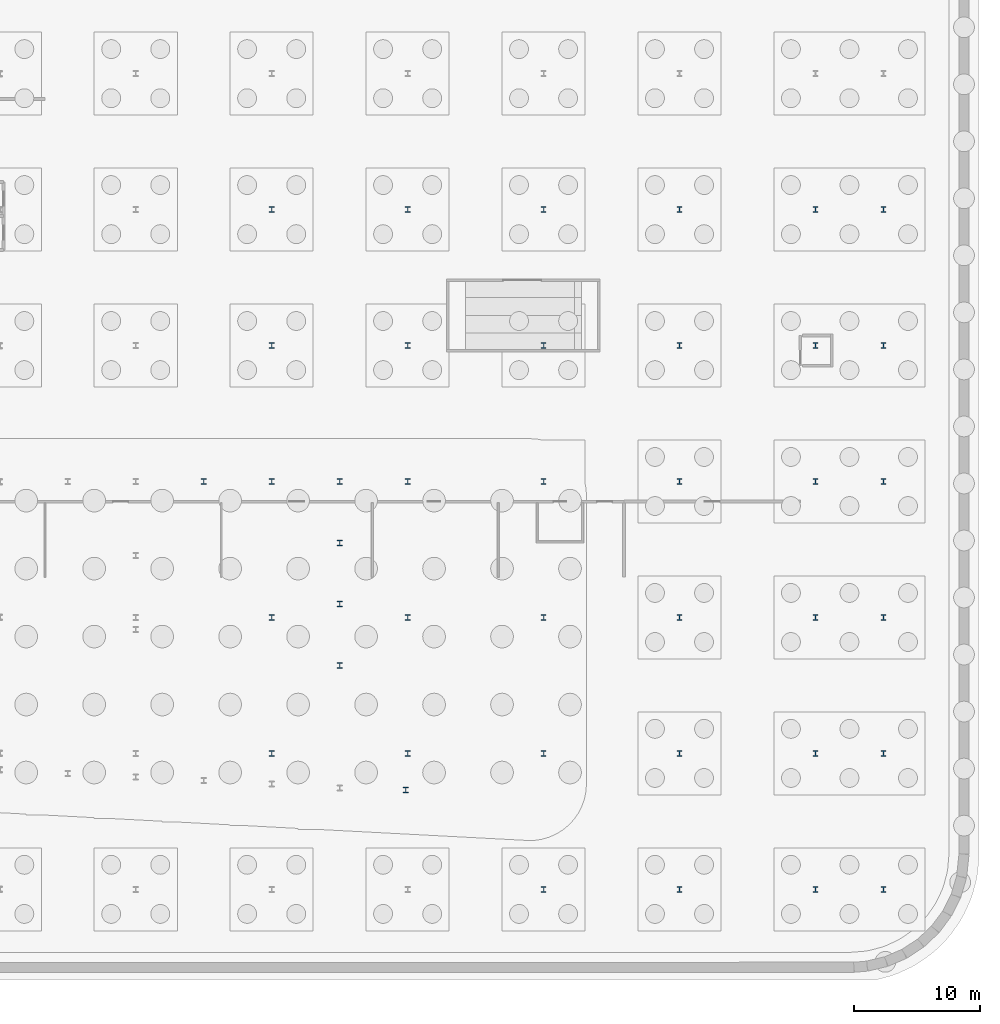
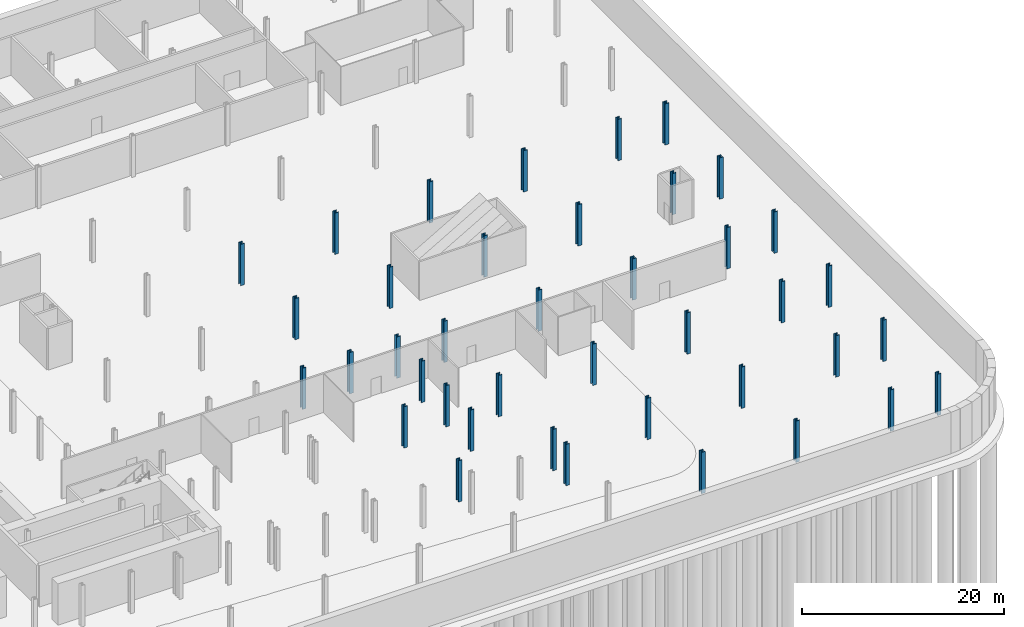
# One storey, part 5 of 23: 40 columns.
"""IFC4 building model written with IfcOpenShell, lengths in metres."""

from ifc_helpers import new_model, si_unit, direction, frame, origin, origin_2d, place, context, subcontext, project, spatial, i_section, extrude, material, material_profile, profile_set, type_object, element, save


model = new_model("IFC4")

# Units and contexts
model_context = context("Model", 3, precision=1e-05, world=origin(), true_north=direction((0.0, 1.0)))
body_context = subcontext(model_context, "Body", "Model", "MODEL_VIEW")
ifc_project = project(units=[si_unit("LENGTHUNIT", "METRE"), si_unit("AREAUNIT", "SQUARE_METRE"), si_unit("VOLUMEUNIT", "CUBIC_METRE"), si_unit("PLANEANGLEUNIT", "RADIAN"), si_unit("MASSUNIT", "GRAM", prefix="KILO")], contexts=[model_context])

# Site, building, storey
site_placement = place(None, origin())
site = spatial("IfcSite", under=ifc_project, at=site_placement, CompositionType="ELEMENT")
building_placement = place(site_placement, origin())
building = spatial("IfcBuilding", under=site, at=building_placement, Name="Kheshtan School and Residences Tower", CompositionType="ELEMENT")
storey_placement = place(building_placement, frame((0.0, 0.0, -15.0)))
storey = spatial("IfcBuildingStorey", under=building, at=storey_placement, Name="B3", CompositionType="ELEMENT", Elevation=-15.0)

# Columns
ifc_material = material(Name="Steel ASTM A992 Grade 50", Category="steel")
ifc_material_profile = material_profile(ifc_material, i_section(OverallWidth=0.424072265625, OverallDepth=0.47412109375, WebThickness=0.047607421875, FlangeThickness=0.0771484375, FilletRadius=0.01416015625, at=origin_2d()), Name="W360x634")
ifc_profile_set = profile_set([ifc_material_profile], Name="Steel ASTM A992 Grade 50")
column_type = type_object("IfcColumnType", Name="Column PC1 W360x634 ASTM A992 Grade 50", PredefinedType="COLUMN", material=ifc_profile_set)
for number, where, z_axis, x_axis, name in (
    (1, (101.60009765625, 13.199951171875, 0.0), (0.0, 0.0, 1.0), (1.0, 0.0, 0.0), "Column P-009"),
    (2, (112.39990234375, 13.199951171875, 0.0), (0.0, 0.0, 1.0), (1.0, 0.0, 0.0), "Column P-010"),
    (3, (123.199951171875, 13.199951171875, 0.0), (0.0, 0.0, 1.0), (1.0, 0.0, 0.0), "Column P-011"),
    (4, (128.60009765625, 13.199951171875, 0.0), (0.0, 0.0, 1.0), (1.0, 0.0, 0.0), "Column P-012"),
    (5, (80.0, 24.0, 0.0), (0.0, 0.0, 1.0), (1.0, 0.0, 0.0), "Column P-019"),
    (6, (90.800048828125, 24.0, 0.0), (0.0, 0.0, 1.0), (1.0, 0.0, 0.0), "Column P-020"),
    (7, (101.60009765625, 24.0, 0.0), (0.0, 0.0, 1.0), (1.0, 0.0, 0.0), "Column P-021"),
    (8, (112.39990234375, 24.0, 0.0), (0.0, 0.0, 1.0), (1.0, 0.0, 0.0), "Column P-022"),
    (9, (123.199951171875, 24.0, 0.0), (0.0, 0.0, 1.0), (1.0, 0.0, 0.0), "Column P-023"),
    (10, (128.60009765625, 24.0, 0.0), (0.0, 0.0, 1.0), (1.0, 0.0, 0.0), "Column P-024"),
    (11, (80.0, 34.800048828125, 0.0), (0.0, 0.0, 1.0), (1.0, 0.0, 0.0), "Column P-031"),
    (12, (90.800048828125, 34.800048828125, 0.0), (0.0, 0.0, 1.0), (1.0, 0.0, 0.0), "Column P-032"),
    (13, (101.60009765625, 34.800048828125, 0.0), (0.0, 0.0, 1.0), (1.0, 0.0, 0.0), "Column P-033"),
    (14, (112.39990234375, 34.800048828125, 0.0), (0.0, 0.0, 1.0), (1.0, 0.0, 0.0), "Column P-034"),
    (15, (123.199951171875, 34.800048828125, 0.0), (0.0, 0.0, 1.0), (1.0, 0.0, 0.0), "Column P-035"),
    (16, (128.60009765625, 34.800048828125, 0.0), (0.0, 0.0, 1.0), (1.0, 0.0, 0.0), "Column P-036"),
    (17, (80.0, 45.60009765625, 0.0), (0.0, 0.0, 1.0), (1.0, 0.0, 0.0), "Column P-043"),
    (18, (90.800048828125, 45.60009765625, 0.0), (0.0, 0.0, 1.0), (1.0, 0.0, 0.0), "Column P-044"),
    (19, (101.60009765625, 45.60009765625, 0.0), (0.0, 0.0, 1.0), (1.0, 0.0, 0.0), "Column P-045"),
    (20, (112.39990234375, 45.60009765625, 0.0), (0.0, 0.0, 1.0), (1.0, 0.0, 0.0), "Column P-046"),
    (21, (123.199951171875, 45.60009765625, 0.0), (0.0, 0.0, 1.0), (1.0, 0.0, 0.0), "Column P-047"),
    (22, (128.60009765625, 45.60009765625, 0.0), (0.0, 0.0, 1.0), (1.0, 0.0, 0.0), "Column P-048"),
    (23, (80.0, 56.39990234375, 0.0), (0.0, 0.0, 1.0), (1.0, 0.0, 0.0), "Column P-055"),
    (24, (90.800048828125, 56.39990234375, 0.0), (0.0, 0.0, 1.0), (1.0, 0.0, 0.0), "Column P-056"),
    (25, (101.60009765625, 56.39990234375, 0.0), (0.0, 0.0, 1.0), (1.0, 0.0, 0.0), "Column P-057"),
    (26, (112.39990234375, 56.39990234375, 0.0), (0.0, 0.0, 1.0), (1.0, 0.0, 0.0), "Column P-058"),
    (27, (123.199951171875, 56.39990234375, 0.0), (0.0, 0.0, 1.0), (1.0, 0.0, 0.0), "Column P-059"),
    (28, (128.60009765625, 56.39990234375, 0.0), (0.0, 0.0, 1.0), (1.0, 0.0, 0.0), "Column P-060"),
    (29, (80.0, 67.199951171875, 0.0), (0.0, 0.0, 1.0), (1.0, 0.0, 0.0), "Column P-067"),
    (30, (90.800048828125, 67.199951171875, 0.0), (0.0, 0.0, 1.0), (1.0, 0.0, 0.0), "Column P-068"),
    (31, (101.60009765625, 67.199951171875, 0.0), (0.0, 0.0, 1.0), (1.0, 0.0, 0.0), "Column P-069"),
    (32, (112.39990234375, 67.199951171875, 0.0), (0.0, 0.0, 1.0), (1.0, 0.0, 0.0), "Column P-070"),
    (33, (123.199951171875, 67.199951171875, 0.0), (0.0, 0.0, 1.0), (1.0, 0.0, 0.0), "Column P-071"),
    (34, (128.60009765625, 67.199951171875, 0.0), (0.0, 0.0, 1.0), (1.0, 0.0, 0.0), "Column P-072"),
    (35, (90.639892578125, 21.110107421875, 0.0), (0.0, 0.0, 1.0), (1.0, 0.0, 0.0), "Transfer column X01"),
    (36, (74.60009765625, 45.60009765625, 0.0), (0.0, 0.0, 1.0), (1.0, 0.0, 0.0), "Transfer column X18"),
    (37, (85.39990234375, 45.60009765625, 0.0), (0.0, 0.0, 1.0), (1.0, 0.0, 0.0), "Transfer column X19"),
    (38, (85.39990234375, 31.0, 0.0), (0.0, 0.0, 1.0), (1.0, 0.0, 0.0), "Transfer column X35"),
    (39, (85.39990234375, 35.8701171875, 0.0), (0.0, 0.0, 1.0), (1.0, 0.0, 0.0), "Transfer column X38"),
    (40, (85.39990234375, 40.72998046875, 0.0), (0.0, 0.0, 1.0), (1.0, 0.0, 0.0), "Transfer column X41"),
):
    element("IfcColumn", number, at=place(storey_placement, frame(where, z_axis=z_axis, x_axis=x_axis)), inside=storey, type_object=column_type, Name=name, PredefinedType="COLUMN", context=body_context, shape_type="SweptSolid", body=[
        extrude(i_section(OverallWidth=0.424072265625, OverallDepth=0.47412109375, WebThickness=0.047607421875, FlangeThickness=0.0771484375, FilletRadius=0.01416015625, at=origin_2d()), origin(), (0.0, 0.0, 1.0), 5.0),
    ])

save(model, "model.ifc")
